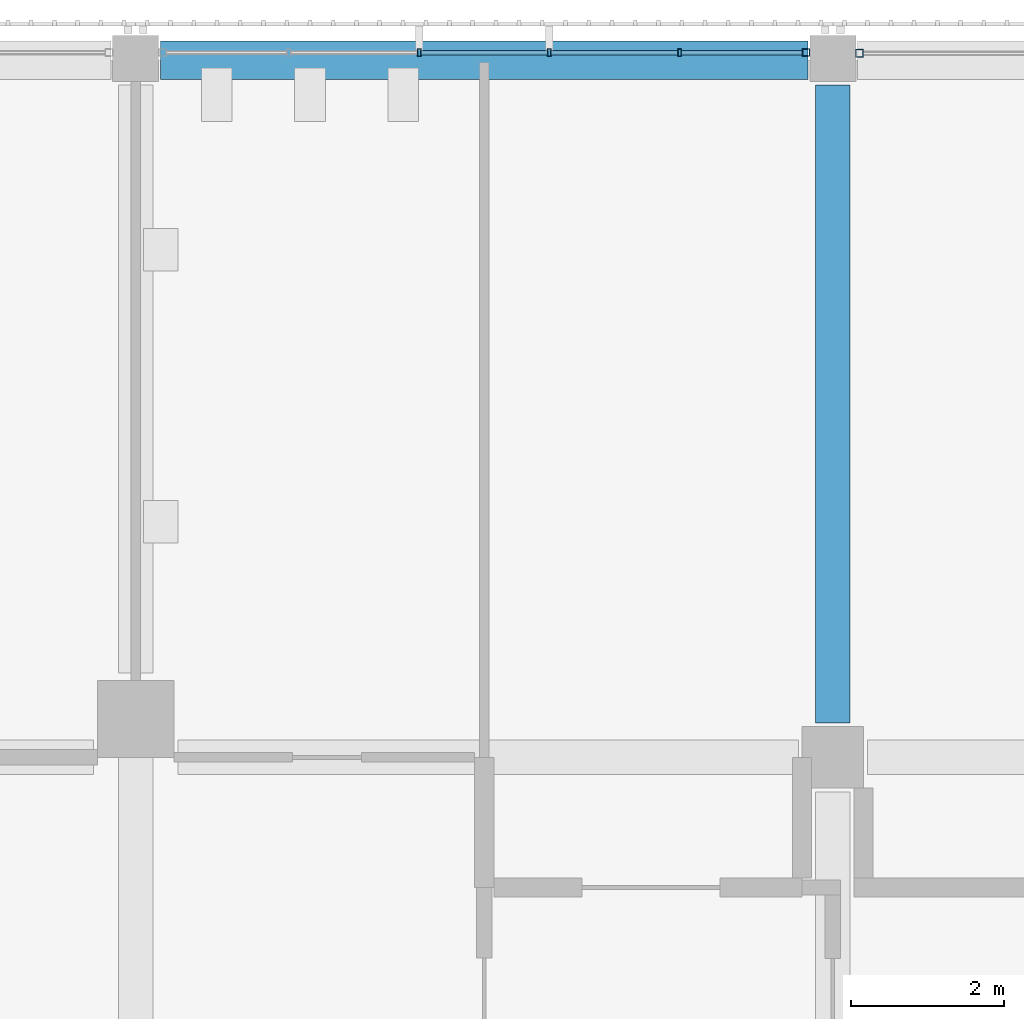
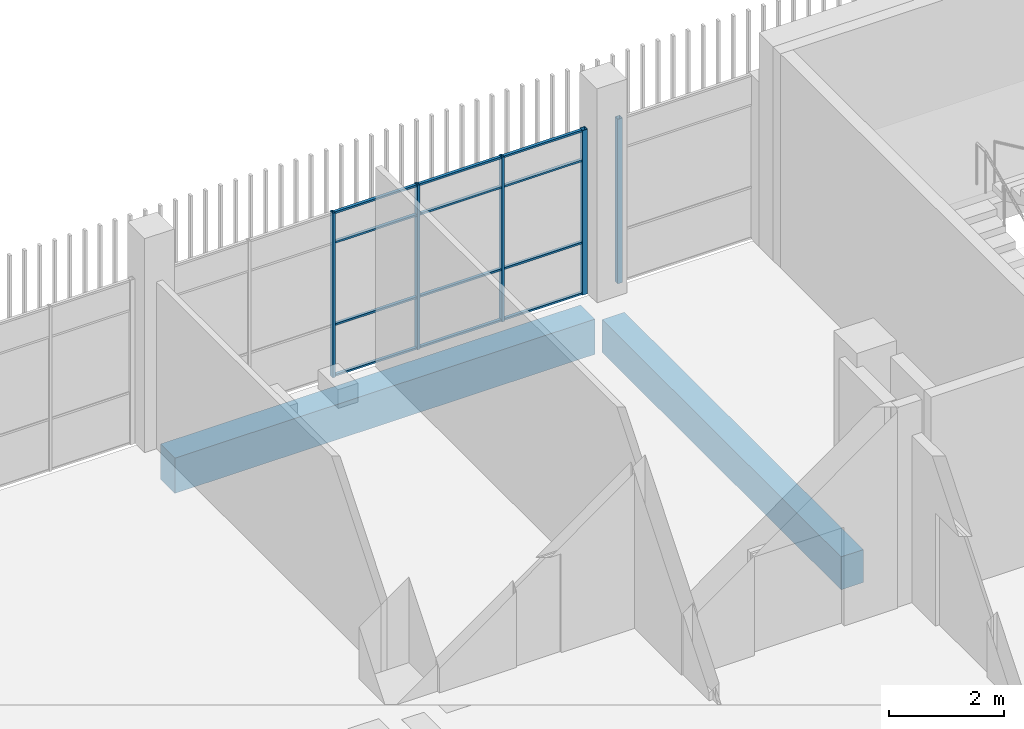
# One storey, part 43 of 126: 17 members, 2 beams, 2 elements without a shape of their own.
"""IFC4 building model written with IfcOpenShell, lengths in metres."""

from ifc_helpers import new_model, si_unit, direction, frame, origin, origin_2d, place, context, subcontext, project, spatial, rectangle, hollow_rectangle, extrude, material, layer, layer_set, material_profile, profile_set, type_object, element, aggregate, save


model = new_model("IFC4")

# Units and contexts
model_context = context("Model", 3, precision=1e-05, world=origin(), true_north=direction((0.0, 1.0)))
body_context = subcontext(model_context, "Body", "Model", "MODEL_VIEW")
ifc_project = project(units=[si_unit("LENGTHUNIT", "METRE"), si_unit("AREAUNIT", "SQUARE_METRE"), si_unit("VOLUMEUNIT", "CUBIC_METRE"), si_unit("PLANEANGLEUNIT", "RADIAN"), si_unit("MASSUNIT", "GRAM", prefix="KILO")], contexts=[model_context])

# Site, building, storey
site_placement = place(None, origin())
site = spatial("IfcSite", under=ifc_project, at=site_placement, CompositionType="ELEMENT")
building_placement = place(site_placement, origin())
building = spatial("IfcBuilding", under=site, at=building_placement, Name="Shirokan Park Arena", CompositionType="ELEMENT")
storey_placement = place(building_placement, frame((0.0, 0.0, 6.3701171875)))
storey = spatial("IfcBuildingStorey", under=building, at=storey_placement, Name="L01", CompositionType="ELEMENT", Elevation=6.3701171875)

# Curtain wall, member
ifc_material_1 = material(Name="Steel and glass curtain wall", Category="steel")
ifc_layer_1 = layer(ifc_material_1, 0.1201171875)
ifc_layer_set_1 = layer_set([ifc_layer_1], Name="Steel and glass curtain wall 120 mm")
curtain_wall_type_1 = type_object("IfcCurtainWallType", Name="Curtain wall corner block side bay 120", PredefinedType="NOTDEFINED", material=ifc_layer_set_1)
curtain_wall_1_placement = place(storey_placement, origin())
curtain_wall_1 = element("IfcCurtainWall", 1, at=curtain_wall_1_placement, inside=storey, type_object=curtain_wall_type_1, Name="Curtain wall north bay 4 L01", PredefinedType="NOTDEFINED")
ifc_material_2 = material(Name="Steel S355", Category="steel")
ifc_material_profile_1 = material_profile(ifc_material_2, hollow_rectangle(XDim=0.10009765625, YDim=0.10009765625, WallThickness=0.006103515625, at=origin_2d()), Name="RHS 100x100x6")
ifc_profile_set_1 = profile_set([ifc_material_profile_1], Name="Steel S355")
member_type_1 = type_object("IfcMemberType", Name="Mullion RHS 100x100x6", PredefinedType="MULLION", material=ifc_profile_set_1)
member_1_placement = place(storey_placement, frame((109.550048828125, 109.2900390625, 0.0), z_axis=(0.0, 0.0, 1.0), x_axis=(0.0, -1.0, 0.0)))
member_1 = element("IfcMember", 2, at=member_1_placement, type_object=member_type_1, Name="CW3 mullion 2", PredefinedType="MULLION", context=body_context, shape_type="SweptSolid", body=[
    extrude(hollow_rectangle(XDim=0.10009765625, YDim=0.10009765625, WallThickness=0.006103515625, at=origin_2d()), origin(), (0.0, 0.0, 1.0), 3.5),
])
aggregate(curtain_wall_1, [member_1])

# Curtain wall, members
ifc_layer_2 = layer(ifc_material_1, 0.10009765625)
ifc_layer_set_2 = layer_set([ifc_layer_2], Name="Steel and glass curtain wall 100 mm")
curtain_wall_type_2 = type_object("IfcCurtainWallType", Name="Curtain wall sheltered bay 100", PredefinedType="NOTDEFINED", material=ifc_layer_set_2)
curtain_wall_2_placement = place(storey_placement, origin())
curtain_wall_2 = element("IfcCurtainWall", 3, at=curtain_wall_2_placement, inside=storey, type_object=curtain_wall_type_2, Name="Curtain wall north bay 5 L01", PredefinedType="NOTDEFINED")
member_2_placement = place(storey_placement, frame((108.85009765625, 109.300048828125, 0.0), z_axis=(0.0, 0.0, 1.0), x_axis=(0.0, -1.0, 0.0)))
member_2 = element("IfcMember", 4, at=member_2_placement, type_object=member_type_1, Name="CW2 mullion 1", PredefinedType="MULLION", context=body_context, shape_type="SweptSolid", body=[
    extrude(hollow_rectangle(XDim=0.10009765625, YDim=0.10009765625, WallThickness=0.006103515625, at=origin_2d()), origin(), (0.0, 0.0, 1.0), 3.5),
])
ifc_material_profile_2 = material_profile(ifc_material_2, hollow_rectangle(XDim=0.10009765625, YDim=0.050048828125, WallThickness=0.0048828125, at=origin_2d()), Name="RHS 100x50x5")
ifc_profile_set_2 = profile_set([ifc_material_profile_2], Name="Steel S355")
member_type_2 = type_object("IfcMemberType", Name="Mullion RHS 100x50x5", PredefinedType="MULLION", material=ifc_profile_set_2)
member_3_placement = place(storey_placement, frame((107.199951171875, 109.300048828125, 0.0), z_axis=(0.0, 0.0, 1.0), x_axis=(0.0, -1.0, 0.0)))
member_3 = element("IfcMember", 5, at=member_3_placement, type_object=member_type_2, Name="CW2 mullion 2", PredefinedType="MULLION", context=body_context, shape_type="SweptSolid", body=[
    extrude(hollow_rectangle(XDim=0.10009765625, YDim=0.050048828125, WallThickness=0.0048828125, at=origin_2d()), origin(), (0.0, 0.0, 1.0), 3.5),
])
member_4_placement = place(storey_placement, frame((105.5, 109.300048828125, 0.0), z_axis=(0.0, 0.0, 1.0), x_axis=(0.0, -1.0, 0.0)))
member_4 = element("IfcMember", 6, at=member_4_placement, type_object=member_type_2, Name="CW2 mullion 3", PredefinedType="MULLION", context=body_context, shape_type="SweptSolid", body=[
    extrude(hollow_rectangle(XDim=0.10009765625, YDim=0.050048828125, WallThickness=0.0048828125, at=origin_2d()), origin(), (0.0, 0.0, 1.0), 3.5),
])
member_5_placement = place(storey_placement, frame((103.800048828125, 109.300048828125, 0.0), z_axis=(0.0, 0.0, 1.0), x_axis=(0.0, -1.0, 0.0)))
member_5 = element("IfcMember", 7, at=member_5_placement, type_object=member_type_2, Name="CW2 mullion 4", PredefinedType="MULLION", context=body_context, shape_type="SweptSolid", body=[
    extrude(hollow_rectangle(XDim=0.10009765625, YDim=0.050048828125, WallThickness=0.0048828125, at=origin_2d()), origin(), (0.0, 0.0, 1.0), 3.5),
])

# Beams
ifc_material_3 = material(Name="Concrete C35", Category="concrete")
ifc_material_profile_3 = material_profile(ifc_material_3, rectangle(XDim=0.449951171875, YDim=0.699951171875, at=origin_2d()), Name="450x700")
ifc_profile_set_3 = profile_set([ifc_material_profile_3], Name="Concrete C35")
beam_type_1 = type_object("IfcBeamType", Name="RC girder 450x700", PredefinedType="BEAM", material=ifc_profile_set_3)
beam_1_placement = place(storey_placement, frame((109.199951171875, 100.550048828125, -0.7001953125), z_axis=(0.0, 1.0, 0.0), x_axis=(-1.0, 0.0, 0.0)))
element("IfcBeam", 8, at=beam_1_placement, inside=storey, type_object=beam_type_1, Name="Girder 13M-13N L01", PredefinedType="BEAM", context=body_context, shape_type="SweptSolid", body=[
    extrude(rectangle(XDim=0.449951171875, YDim=0.699951171875, at=origin_2d()), origin(), (0.0, 0.0, 1.0), 8.324951171875),
])
ifc_material_profile_4 = material_profile(ifc_material_3, rectangle(XDim=0.5, YDim=0.75, at=origin_2d()), Name="500x750")
ifc_profile_set_4 = profile_set([ifc_material_profile_4], Name="Concrete C35")
beam_type_2 = type_object("IfcBeamType", Name="RC girder 500x750", PredefinedType="BEAM", material=ifc_profile_set_4)
beam_2_placement = place(storey_placement, frame((100.425048828125, 109.199951171875, -0.72509765625), z_axis=(1.0, 0.0, 0.0), x_axis=(0.0, 1.0, 0.0)))
element("IfcBeam", 9, at=beam_2_placement, inside=storey, type_object=beam_type_2, Name="Girder 12N-13N L01", PredefinedType="BEAM", context=body_context, shape_type="SweptSolid", body=[
    extrude(rectangle(XDim=0.5, YDim=0.75, at=origin_2d()), origin(), (0.0, 0.0, 1.0), 8.449951171875),
])

# Member
ifc_material_profile_5 = material_profile(ifc_material_2, hollow_rectangle(XDim=0.06005859375, YDim=0.0400390625, WallThickness=0.00390625, at=origin_2d()), Name="RHS 60x40x4")
ifc_profile_set_5 = profile_set([ifc_material_profile_5], Name="Steel S355")
member_type_3 = type_object("IfcMemberType", Name="Transom RHS 60x40x4", PredefinedType="MULLION", material=ifc_profile_set_5)
member_6_placement = place(storey_placement, frame((108.800048828125, 109.300048828125, 0.019775390625), z_axis=(-1.0, 0.0, 0.0), x_axis=(0.0, -1.0, 0.0)))
member_6 = element("IfcMember", 10, at=member_6_placement, type_object=member_type_3, Name="CW2 transom 1.1", PredefinedType="MULLION", context=body_context, shape_type="SweptSolid", body=[
    extrude(hollow_rectangle(XDim=0.06005859375, YDim=0.0400390625, WallThickness=0.00390625, at=origin_2d()), origin(), (0.0, 0.0, 1.0), 1.574951171875),
])

member_7_placement = place(storey_placement, frame((108.800048828125, 109.300048828125, 1.099853515625), z_axis=(-1.0, 0.0, 0.0), x_axis=(0.0, -1.0, 0.0)))
member_7 = element("IfcMember", 11, at=member_7_placement, type_object=member_type_3, Name="CW2 transom 1.2", PredefinedType="MULLION", context=body_context, shape_type="SweptSolid", body=[
    extrude(hollow_rectangle(XDim=0.06005859375, YDim=0.0400390625, WallThickness=0.00390625, at=origin_2d()), origin(), (0.0, 0.0, 1.0), 1.574951171875),
])

member_8_placement = place(storey_placement, frame((108.800048828125, 109.300048828125, 2.849853515625), z_axis=(-1.0, 0.0, 0.0), x_axis=(0.0, -1.0, 0.0)))
member_8 = element("IfcMember", 12, at=member_8_placement, type_object=member_type_3, Name="CW2 transom 1.3", PredefinedType="MULLION", context=body_context, shape_type="SweptSolid", body=[
    extrude(hollow_rectangle(XDim=0.06005859375, YDim=0.0400390625, WallThickness=0.00390625, at=origin_2d()), origin(), (0.0, 0.0, 1.0), 1.574951171875),
])

member_9_placement = place(storey_placement, frame((108.800048828125, 109.300048828125, 3.47998046875), z_axis=(-1.0, 0.0, 0.0), x_axis=(0.0, -1.0, 0.0)))
member_9 = element("IfcMember", 13, at=member_9_placement, type_object=member_type_3, Name="CW2 transom 1.4", PredefinedType="MULLION", context=body_context, shape_type="SweptSolid", body=[
    extrude(hollow_rectangle(XDim=0.06005859375, YDim=0.0400390625, WallThickness=0.00390625, at=origin_2d()), origin(), (0.0, 0.0, 1.0), 1.574951171875),
])

member_10_placement = place(storey_placement, frame((107.175048828125, 109.300048828125, 0.019775390625), z_axis=(-1.0, 0.0, 0.0), x_axis=(0.0, -1.0, 0.0)))
member_10 = element("IfcMember", 14, at=member_10_placement, type_object=member_type_3, Name="CW2 transom 2.1", PredefinedType="MULLION", context=body_context, shape_type="SweptSolid", body=[
    extrude(hollow_rectangle(XDim=0.06005859375, YDim=0.0400390625, WallThickness=0.00390625, at=origin_2d()), origin(), (0.0, 0.0, 1.0), 1.650146484375),
])

member_11_placement = place(storey_placement, frame((107.175048828125, 109.300048828125, 1.099853515625), z_axis=(-1.0, 0.0, 0.0), x_axis=(0.0, -1.0, 0.0)))
member_11 = element("IfcMember", 15, at=member_11_placement, type_object=member_type_3, Name="CW2 transom 2.2", PredefinedType="MULLION", context=body_context, shape_type="SweptSolid", body=[
    extrude(hollow_rectangle(XDim=0.06005859375, YDim=0.0400390625, WallThickness=0.00390625, at=origin_2d()), origin(), (0.0, 0.0, 1.0), 1.650146484375),
])

member_12_placement = place(storey_placement, frame((107.175048828125, 109.300048828125, 2.849853515625), z_axis=(-1.0, 0.0, 0.0), x_axis=(0.0, -1.0, 0.0)))
member_12 = element("IfcMember", 16, at=member_12_placement, type_object=member_type_3, Name="CW2 transom 2.3", PredefinedType="MULLION", context=body_context, shape_type="SweptSolid", body=[
    extrude(hollow_rectangle(XDim=0.06005859375, YDim=0.0400390625, WallThickness=0.00390625, at=origin_2d()), origin(), (0.0, 0.0, 1.0), 1.650146484375),
])

member_13_placement = place(storey_placement, frame((107.175048828125, 109.300048828125, 3.47998046875), z_axis=(-1.0, 0.0, 0.0), x_axis=(0.0, -1.0, 0.0)))
member_13 = element("IfcMember", 17, at=member_13_placement, type_object=member_type_3, Name="CW2 transom 2.4", PredefinedType="MULLION", context=body_context, shape_type="SweptSolid", body=[
    extrude(hollow_rectangle(XDim=0.06005859375, YDim=0.0400390625, WallThickness=0.00390625, at=origin_2d()), origin(), (0.0, 0.0, 1.0), 1.650146484375),
])

member_14_placement = place(storey_placement, frame((105.47509765625, 109.300048828125, 0.019775390625), z_axis=(-1.0, 0.0, 0.0), x_axis=(0.0, -1.0, 0.0)))
member_14 = element("IfcMember", 18, at=member_14_placement, type_object=member_type_3, Name="CW2 transom 3.1", PredefinedType="MULLION", context=body_context, shape_type="SweptSolid", body=[
    extrude(hollow_rectangle(XDim=0.06005859375, YDim=0.0400390625, WallThickness=0.00390625, at=origin_2d()), origin(), (0.0, 0.0, 1.0), 1.650146484375),
])

member_15_placement = place(storey_placement, frame((105.47509765625, 109.300048828125, 1.099853515625), z_axis=(-1.0, 0.0, 0.0), x_axis=(0.0, -1.0, 0.0)))
member_15 = element("IfcMember", 19, at=member_15_placement, type_object=member_type_3, Name="CW2 transom 3.2", PredefinedType="MULLION", context=body_context, shape_type="SweptSolid", body=[
    extrude(hollow_rectangle(XDim=0.06005859375, YDim=0.0400390625, WallThickness=0.00390625, at=origin_2d()), origin(), (0.0, 0.0, 1.0), 1.650146484375),
])

member_16_placement = place(storey_placement, frame((105.47509765625, 109.300048828125, 2.849853515625), z_axis=(-1.0, 0.0, 0.0), x_axis=(0.0, -1.0, 0.0)))
member_16 = element("IfcMember", 20, at=member_16_placement, type_object=member_type_3, Name="CW2 transom 3.3", PredefinedType="MULLION", context=body_context, shape_type="SweptSolid", body=[
    extrude(hollow_rectangle(XDim=0.06005859375, YDim=0.0400390625, WallThickness=0.00390625, at=origin_2d()), origin(), (0.0, 0.0, 1.0), 1.650146484375),
])

member_17_placement = place(storey_placement, frame((105.47509765625, 109.300048828125, 3.47998046875), z_axis=(-1.0, 0.0, 0.0), x_axis=(0.0, -1.0, 0.0)))
member_17 = element("IfcMember", 21, at=member_17_placement, type_object=member_type_3, Name="CW2 transom 3.4", PredefinedType="MULLION", context=body_context, shape_type="SweptSolid", body=[
    extrude(hollow_rectangle(XDim=0.06005859375, YDim=0.0400390625, WallThickness=0.00390625, at=origin_2d()), origin(), (0.0, 0.0, 1.0), 1.650146484375),
])

aggregate(curtain_wall_2, [member_2, member_3, member_4, member_5, member_6, member_7, member_8, member_9, member_10, member_11, member_12, member_13, member_14, member_15, member_16, member_17])

save(model, "model.ifc")
